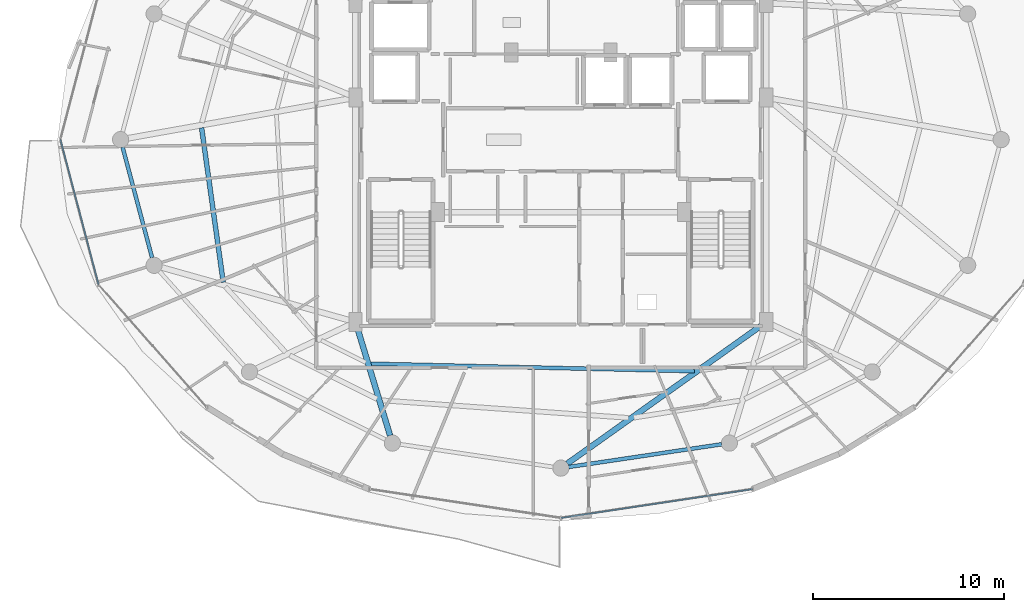
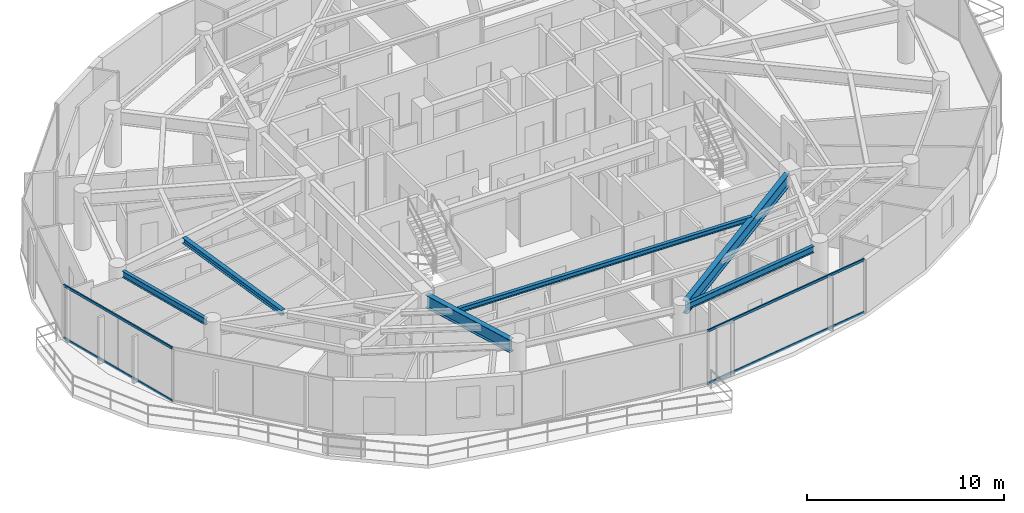
# One storey, part 6 of 32: 6 beams, 4 members, 2 elements without a shape of their own.
"""IFC4 building model written with IfcOpenShell, lengths in metres."""

from ifc_helpers import new_model, si_unit, direction, frame, origin, origin_2d, place, context, subcontext, project, spatial, hollow_rectangle, i_section, extrude, material, material_profile, profile_set, type_object, element, aggregate, save


model = new_model("IFC4")

# Units and contexts
model_context = context("Model", 3, precision=1e-05, world=origin(), true_north=direction((0.0, 1.0)))
body_context = subcontext(model_context, "Body", "Model", "MODEL_VIEW")
ifc_project = project(units=[si_unit("LENGTHUNIT", "METRE"), si_unit("AREAUNIT", "SQUARE_METRE"), si_unit("VOLUMEUNIT", "CUBIC_METRE"), si_unit("PLANEANGLEUNIT", "RADIAN"), si_unit("MASSUNIT", "GRAM", prefix="KILO")], contexts=[model_context])

# Site, building, storey
site_placement = place(None, origin())
site = spatial("IfcSite", under=ifc_project, at=site_placement, CompositionType="ELEMENT")
building_placement = place(site_placement, origin())
building = spatial("IfcBuilding", under=site, at=building_placement, Name="Vorneva Point Tower", CompositionType="ELEMENT")
storey_placement = place(building_placement, frame((0.0, 0.0, 269.75)))
storey = spatial("IfcBuildingStorey", under=building, at=storey_placement, Name="L73", CompositionType="ELEMENT", Elevation=269.75)

# Beams
ifc_material_1 = material(Name="Steel S355", Category="steel")
ifc_material_profile_1 = material_profile(ifc_material_1, i_section(OverallWidth=0.300048828125, OverallDepth=0.7880859375, WebThickness=0.014404296875, FlangeThickness=0.02197265625, at=origin_2d()), Name="80Sh1")
ifc_profile_set_1 = profile_set([ifc_material_profile_1], Name="Steel S355")
beam_type_1 = type_object("IfcBeamType", Name="BM-GRD-80Sh1", PredefinedType="USERDEFINED", material=ifc_profile_set_1)
beam_1_placement = place(storey_placement, frame((29.058837890625, 10.50439453125, 2.89599609375), z_axis=(-0.291032624293, 0.956713129207, 0.0), x_axis=(-0.956713129207, -0.291032624293, 0.0)))
element("IfcBeam", 1, at=beam_1_placement, inside=storey, type_object=beam_type_1, Name="L73 Radial Primary Girder 12", ObjectType="GIRDER", PredefinedType="USERDEFINED", context=body_context, shape_type="SweptSolid", body=[
    extrude(i_section(OverallWidth=0.300048828125, OverallDepth=0.7880859375, WebThickness=0.014404296875, FlangeThickness=0.02197265625, at=origin_2d()), origin(), (0.0, 0.0, 1.0), 5.874755859375),
])
beam_2_placement = place(storey_placement, frame((38.33642578125, 9.03955078125, 2.89599609375), z_axis=(0.814757147543, 0.579802371958, 0.0), x_axis=(-0.579802371958, 0.814757147543, 0.0)))
element("IfcBeam", 2, at=beam_2_placement, inside=storey, type_object=beam_type_1, Name="L73 Radial Primary Girder 13", ObjectType="GIRDER", PredefinedType="USERDEFINED", context=body_context, shape_type="SweptSolid", body=[
    extrude(i_section(OverallWidth=0.300048828125, OverallDepth=0.7880859375, WebThickness=0.014404296875, FlangeThickness=0.02197265625, at=origin_2d()), origin(), (0.0, 0.0, 1.0), 12.441162109375),
])
ifc_material_profile_2 = material_profile(ifc_material_1, i_section(OverallWidth=0.199951171875, OverallDepth=0.291015625, WebThickness=0.008056640625, FlangeThickness=0.010986328125, at=origin_2d()), Name="30Sh1")
ifc_profile_set_2 = profile_set([ifc_material_profile_2], Name="Steel S355")
beam_type_2 = type_object("IfcBeamType", Name="BM-SEC-30Sh1", PredefinedType="BEAM", material=ifc_profile_set_2)
beam_3_placement = place(storey_placement, frame((28.05126953125, 14.266845703125, 3.14453125), z_axis=(0.999733534919, -0.023083742277, 0.0), x_axis=(0.023083742277, 0.999733534919, 0.0)))
element("IfcBeam", 3, at=beam_3_placement, inside=storey, type_object=beam_type_2, Name="L73 Secondary Floor Beam 2.12", PredefinedType="BEAM", context=body_context, shape_type="SweptSolid", body=[
    extrude(i_section(OverallWidth=0.199951171875, OverallDepth=0.291015625, WebThickness=0.008056640625, FlangeThickness=0.010986328125, at=origin_2d()), origin(), (0.0, 0.0, 1.0), 16.943115234375),
])
ifc_material_profile_3 = material_profile(ifc_material_1, i_section(OverallWidth=0.2490234375, OverallDepth=0.333984375, WebThickness=0.008056640625, FlangeThickness=0.010986328125, at=origin_2d()), Name="35Sh1")
ifc_profile_set_3 = profile_set([ifc_material_profile_3], Name="Steel S355")
beam_type_3 = type_object("IfcBeamType", Name="BM-SEC-35Sh1", PredefinedType="BEAM", material=ifc_profile_set_3)
beam_4_placement = place(storey_placement, frame((19.190185546875, 26.618408203125, 3.123046875), z_axis=(0.138796784083, -0.990320883718, 0.0), x_axis=(0.990320883718, 0.138796784083, 0.0)))
element("IfcBeam", 4, at=beam_4_placement, inside=storey, type_object=beam_type_3, Name="L73 Secondary Floor Beam 1.09", PredefinedType="BEAM", context=body_context, shape_type="SweptSolid", body=[
    extrude(i_section(OverallWidth=0.2490234375, OverallDepth=0.333984375, WebThickness=0.008056640625, FlangeThickness=0.010986328125, at=origin_2d()), origin(), (0.0, 0.0, 1.0), 8.1669921875),
])
ifc_material_profile_4 = material_profile(ifc_material_1, i_section(OverallWidth=0.198974609375, OverallDepth=0.39599609375, WebThickness=0.007080078125, FlangeThickness=0.010986328125, at=origin_2d()), Name="40B1")
ifc_profile_set_4 = profile_set([ifc_material_profile_4], Name="Steel S355")
beam_type_4 = type_object("IfcBeamType", Name="BM-SPN-40B1", PredefinedType="SPANDREL", material=ifc_profile_set_4)
beam_5_placement = place(storey_placement, frame((15.0556640625, 25.603759765625, 3.092041015625), z_axis=(0.257586570866, -0.966255224312, 0.0), x_axis=(0.966255224312, 0.257586570866, 0.0)))
element("IfcBeam", 5, at=beam_5_placement, inside=storey, type_object=beam_type_4, Name="L73 Perimeter Spandrel Ring Beam 09", PredefinedType="SPANDREL", context=body_context, shape_type="SweptSolid", body=[
    extrude(i_section(OverallWidth=0.198974609375, OverallDepth=0.39599609375, WebThickness=0.007080078125, FlangeThickness=0.010986328125, at=origin_2d()), origin(), (0.0, 0.0, 1.0), 5.991943359375),
])
beam_6_placement = place(storey_placement, frame((38.405517578125, 8.860107421875, 3.092041015625), z_axis=(0.989161657331, 0.146830567886, 0.0), x_axis=(-0.146830567886, 0.989161657331, 0.0)))
element("IfcBeam", 6, at=beam_6_placement, inside=storey, type_object=beam_type_4, Name="L73 Perimeter Spandrel Ring Beam 13", PredefinedType="SPANDREL", context=body_context, shape_type="SweptSolid", body=[
    extrude(i_section(OverallWidth=0.198974609375, OverallDepth=0.39599609375, WebThickness=0.007080078125, FlangeThickness=0.010986328125, at=origin_2d()), origin(), (0.0, 0.0, 1.0), 8.097412109375),
])

# Curtain wall, members
ifc_material_2 = material(Name="Pale anodised aluminium", Category="aluminium")
curtain_wall_type = type_object("IfcCurtainWallType", Name="CW-RES-SYS", PredefinedType="NOTDEFINED", material=ifc_material_2)
curtain_wall_1_placement = place(storey_placement, origin())
curtain_wall_1 = element("IfcCurtainWall", 7, at=curtain_wall_1_placement, inside=storey, type_object=curtain_wall_type, Name="L73 Unitised Curtain Wall CW-L73-R03", PredefinedType="NOTDEFINED")
ifc_material_profile_5 = material_profile(ifc_material_2, hollow_rectangle(XDim=0.074951171875, YDim=0.14990234375, WallThickness=0.00390625, at=origin_2d()), Name="AL-TRN 150x75x4")
ifc_profile_set_5 = profile_set([ifc_material_profile_5], Name="Pale anodised aluminium")
member_type = type_object("IfcMemberType", Name="CW-TRN-150", PredefinedType="USERDEFINED", material=ifc_profile_set_5)
member_1_placement = place(storey_placement, frame((11.800048828125, 26.0, 0.02001953125), z_axis=(0.254418180926, -0.967094302131, 0.0), x_axis=(0.967094302131, 0.254418180926, 0.0)))
member_1 = element("IfcMember", 8, at=member_1_placement, type_object=member_type, Name="CW-L73-R03 Transom 03.1", ObjectType="TRANSOM", PredefinedType="USERDEFINED", context=body_context, shape_type="SweptSolid", body=[
    extrude(hollow_rectangle(XDim=0.074951171875, YDim=0.14990234375, WallThickness=0.00390625, at=origin_2d()), origin(), (0.0, 0.0, 1.0), 7.839111328125),
])
member_2_placement = place(storey_placement, frame((11.800048828125, 26.0, 3.27001953125), z_axis=(0.254418180926, -0.967094302131, 0.0), x_axis=(0.967094302131, 0.254418180926, 0.0)))
member_2 = element("IfcMember", 9, at=member_2_placement, type_object=member_type, Name="CW-L73-R03 Transom 03.2", ObjectType="TRANSOM", PredefinedType="USERDEFINED", context=body_context, shape_type="SweptSolid", body=[
    extrude(hollow_rectangle(XDim=0.074951171875, YDim=0.14990234375, WallThickness=0.00390625, at=origin_2d()), origin(), (0.0, 0.0, 1.0), 7.839111328125),
])
aggregate(curtain_wall_1, [member_1, member_2])

curtain_wall_2_placement = place(storey_placement, origin())
curtain_wall_2 = element("IfcCurtainWall", 10, at=curtain_wall_2_placement, inside=storey, type_object=curtain_wall_type, Name="L73 Unitised Curtain Wall CW-L73-R04", PredefinedType="NOTDEFINED")
member_3_placement = place(storey_placement, frame((38.0, 6.18994140625, 0.02001953125), z_axis=(0.988876929856, 0.148736066907, 0.0), x_axis=(-0.148736066907, 0.988876929856, 0.0)))
member_3 = element("IfcMember", 11, at=member_3_placement, type_object=member_type, Name="CW-L73-R04 Transom 02.1", ObjectType="TRANSOM", PredefinedType="USERDEFINED", context=body_context, shape_type="SweptSolid", body=[
    extrude(hollow_rectangle(XDim=0.074951171875, YDim=0.14990234375, WallThickness=0.00390625, at=origin_2d()), origin(), (0.0, 0.0, 1.0), 10.13916015625),
])
member_4_placement = place(storey_placement, frame((38.0, 6.18994140625, 3.27001953125), z_axis=(0.988876929856, 0.148736066907, 0.0), x_axis=(-0.148736066907, 0.988876929856, 0.0)))
member_4 = element("IfcMember", 12, at=member_4_placement, type_object=member_type, Name="CW-L73-R04 Transom 02.2", ObjectType="TRANSOM", PredefinedType="USERDEFINED", context=body_context, shape_type="SweptSolid", body=[
    extrude(hollow_rectangle(XDim=0.074951171875, YDim=0.14990234375, WallThickness=0.00390625, at=origin_2d()), origin(), (0.0, 0.0, 1.0), 10.13916015625),
])
aggregate(curtain_wall_2, [member_3, member_4])

save(model, "model.ifc")
